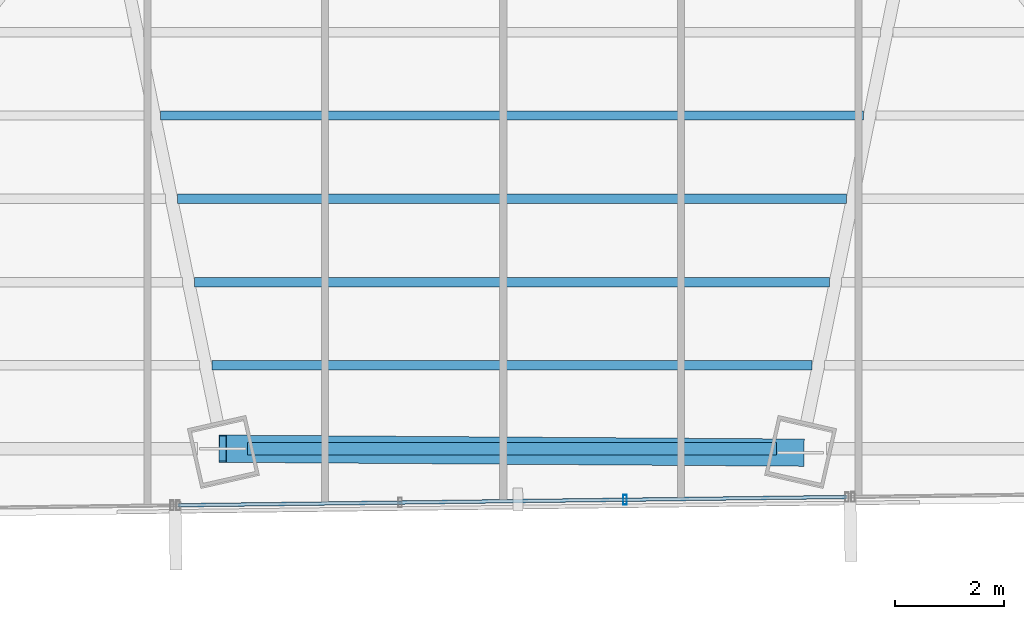
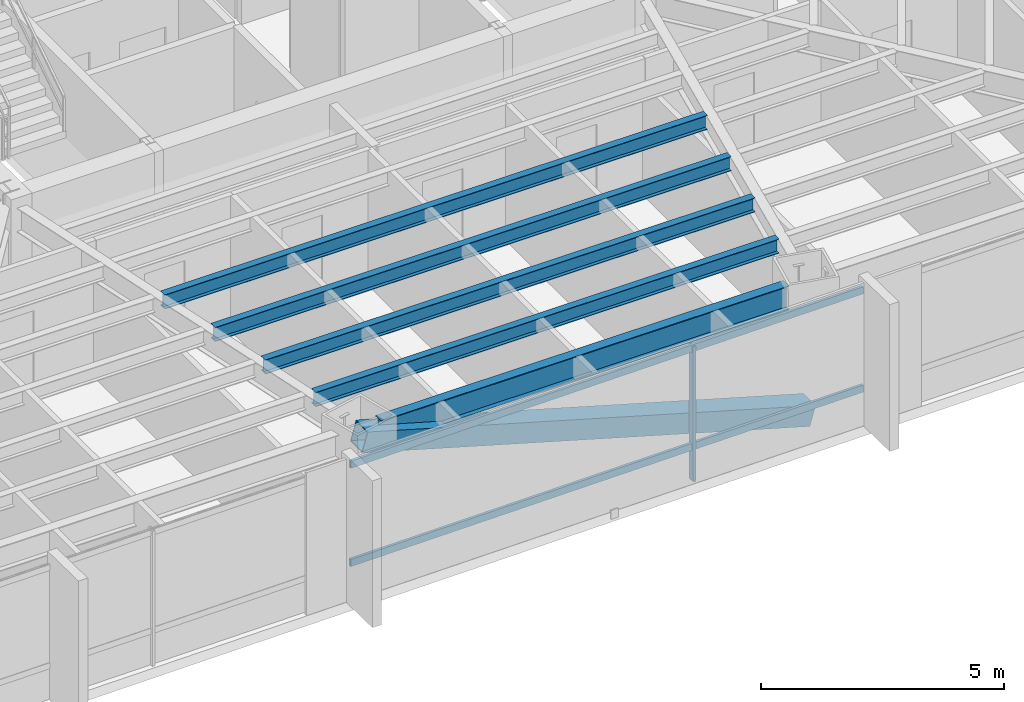
# One storey, part 10 of 37: 5 beams, 4 members, 1 element without a shape of its own.
"""IFC4 building model written with IfcOpenShell, lengths in metres."""

import ifcopenshell
import ifcopenshell.guid

model = None  # the IFC model being written
_history = None  # IfcOwnerHistory: only IFC2X3 demands one
_inside = {}  # id of a spatial element -> (the spatial element, [elements in it])
_under = {}  # id of a project, library or spatial element -> (it, [spatial elements below it])
_declared = {}  # id of a project -> (the project, [libraries it declares])
_typed = {}  # id of a type object -> (the type object, [elements of that type])
_made_of = {}  # id of a material, layer set ... -> (it, [elements and type objects made of it])


def new_model(schema):
    """Start an empty IFC model of exactly this schema.

    Asked for "IFC4X3", IfcOpenShell would pick the latest addendum, in which some entities
    have other attributes; the version numbers below select the first issue.
    IFC2X3 requires an IfcOwnerHistory on every rooted entity: one is made here for all.
    """
    global model, _history
    if schema == "IFC4X3":
        model = ifcopenshell.file(schema_version=(4, 3, 0, 0))
    else:
        model = ifcopenshell.file(schema=schema)
    _inside.clear()
    _under.clear()
    _declared.clear()
    _typed.clear()
    _made_of.clear()
    _history = None
    if model.schema == "IFC2X3":
        org = make("IfcOrganization", Name="unknown")
        user = make(
            "IfcPersonAndOrganization",
            ThePerson=make("IfcPerson", FamilyName="unknown"),
            TheOrganization=org,
        )
        app = make(
            "IfcApplication",
            ApplicationDeveloper=org,
            Version="unknown",
            ApplicationFullName="unknown",
            ApplicationIdentifier="unknown",
        )
        _history = make(
            "IfcOwnerHistory",
            OwningUser=user,
            OwningApplication=app,
            ChangeAction="ADDED",
            CreationDate=0,
        )
    return model


def make(cls, **values):
    """One entity of the class cls with the attributes given. An attribute that is None is left unset."""
    return model.create_entity(
        cls, **{name: value for name, value in values.items() if value is not None}
    )


def rooted(cls, **values):
    """An entity with a GlobalId (a new one), such as an element, a storey or a relation."""
    return make(cls, GlobalId=ifcopenshell.guid.new(), OwnerHistory=_history, **values)


def si_unit(unit_type, name, prefix=None):
    """IfcSIUnit, for example si_unit("LENGTHUNIT", "METRE", prefix="MILLI")."""
    return make("IfcSIUnit", UnitType=unit_type, Prefix=prefix, Name=name)


def assignment(units):
    """IfcUnitAssignment: the units of a project."""
    return None if units is None else make("IfcUnitAssignment", Units=units)


def point(xyz):
    """IfcCartesianPoint."""
    return None if xyz is None else make("IfcCartesianPoint", Coordinates=xyz)


def direction(xyz):
    """IfcDirection."""
    return None if xyz is None else make("IfcDirection", DirectionRatios=xyz)


def frame(location, z_axis=None, x_axis=None):
    """IfcAxis2Placement3D, a coordinate frame: its origin and axes. An axis left out is left unset."""
    return make(
        "IfcAxis2Placement3D",
        Location=point(location),
        Axis=direction(z_axis),
        RefDirection=direction(x_axis),
    )


def frame_2d(location, x_axis=None):
    """IfcAxis2Placement2D, a coordinate frame in the plane: its origin and x axis."""
    return make(
        "IfcAxis2Placement2D", Location=point(location), RefDirection=direction(x_axis)
    )


def origin():
    """The frame at (0, 0, 0) with its axes left unset."""
    return frame((0.0, 0.0, 0.0))


def origin_2d():
    """The frame at (0, 0) in the plane with its x axis left unset."""
    return frame_2d((0.0, 0.0))


def place(relative_to, where):
    """IfcLocalPlacement: puts the frame where relative to a parent placement (None: the world)."""
    return make(
        "IfcLocalPlacement", PlacementRelTo=relative_to, RelativePlacement=where
    )


def context(
    kind, dimensions, precision=None, world=None, true_north=None, identifier=None
):
    """IfcGeometricRepresentationContext, for example the 3D "Model" context."""
    return make(
        "IfcGeometricRepresentationContext",
        ContextIdentifier=identifier,
        ContextType=kind,
        CoordinateSpaceDimension=dimensions,
        Precision=precision,
        WorldCoordinateSystem=world,
        TrueNorth=true_north,
    )


def subcontext(parent, identifier, kind, view, scale=None):
    """IfcGeometricRepresentationSubContext, for example "Body" below "Model"."""
    return make(
        "IfcGeometricRepresentationSubContext",
        ContextIdentifier=identifier,
        ContextType=kind,
        ParentContext=parent,
        TargetScale=scale,
        TargetView=view,
    )


def project(units=None, contexts=None):
    """IfcProject with its units and contexts."""
    return rooted(
        "IfcProject",
        Name="project",
        RepresentationContexts=contexts,
        UnitsInContext=assignment(units),
    )


def spatial(cls, under=None, at=None, **own):
    """A site, building, storey or space (cls), placed at a placement, below another one or the project."""
    s = rooted(cls, ObjectPlacement=at, **own)
    if under is not None:
        _under.setdefault(under.id(), (under, []))[1].append(s)
    return s


def profile(cls, at=None, kind="AREA", **sizes):
    """A parametric profile (cls). Its sizes go by their IFC names, for example OverallWidth=200.0."""
    return make(cls, ProfileType=kind, Position=at, **sizes)


def hollow_rectangle(**sizes):
    """IfcRectangleHollowProfileDef."""
    return profile("IfcRectangleHollowProfileDef", **sizes)


def i_section(**sizes):
    """IfcIShapeProfileDef."""
    return profile("IfcIShapeProfileDef", **sizes)


def extrude(swept, where, along, depth):
    """IfcExtrudedAreaSolid: the profile swept, set in the frame where, extruded along a direction by depth."""
    return make(
        "IfcExtrudedAreaSolid",
        SweptArea=swept,
        Position=where,
        ExtrudedDirection=direction(along),
        Depth=depth,
    )


def shape(context_of_items, identifier, shape_type, items):
    """IfcShapeRepresentation: the items that make up one representation, for example the "Body"."""
    return make(
        "IfcShapeRepresentation",
        ContextOfItems=context_of_items,
        RepresentationIdentifier=identifier,
        RepresentationType=shape_type,
        Items=items,
    )


def source(mapping_origin, context_of_items, identifier, shape_type, items):
    """IfcRepresentationMap: a shape defined once, which mapped items show again and again."""
    return make(
        "IfcRepresentationMap",
        MappingOrigin=mapping_origin,
        MappedRepresentation=shape(context_of_items, identifier, shape_type, items),
    )


def transform(
    local_origin,
    x_axis=None,
    y_axis=None,
    z_axis=None,
    scale=None,
    scale2=None,
    scale3=None,
    uniform=True,
):
    """IfcCartesianTransformationOperator3D, or its non-uniform kind. x_axis, y_axis, z_axis: its Axis1, 2, 3."""
    if uniform:
        return make(
            "IfcCartesianTransformationOperator3D",
            Axis1=direction(x_axis),
            Axis2=direction(y_axis),
            LocalOrigin=point(local_origin),
            Scale=scale,
            Axis3=direction(z_axis),
        )
    return make(
        "IfcCartesianTransformationOperator3DnonUniform",
        Axis1=direction(x_axis),
        Axis2=direction(y_axis),
        LocalOrigin=point(local_origin),
        Scale=scale,
        Axis3=direction(z_axis),
        Scale2=scale2,
        Scale3=scale3,
    )


def mapped(mapping_source, mapping_target):
    """IfcMappedItem: shows the shape of a source again, moved by a transform."""
    return make(
        "IfcMappedItem", MappingSource=mapping_source, MappingTarget=mapping_target
    )


def material(Name=None, Category=None):
    """IfcMaterial."""
    return make("IfcMaterial", Name=Name, Category=Category)


def material_profile(
    of_material, cross_section, Name=None, Category=None, Priority=None
):
    """IfcMaterialProfile: a cross section and its material."""
    return make(
        "IfcMaterialProfile",
        Name=Name,
        Material=of_material,
        Profile=cross_section,
        Priority=Priority,
        Category=Category,
    )


def profile_set(profiles, Name=None, composite=None):
    """IfcMaterialProfileSet."""
    return make(
        "IfcMaterialProfileSet",
        Name=Name,
        MaterialProfiles=profiles,
        CompositeProfile=composite,
    )


def made_of(thing, what):
    """Note that an element or type object is made of a material, layer set ...; save() writes the relation."""
    if what is not None:
        _made_of.setdefault(what.id(), (what, []))[1].append(thing)
    return thing


def type_object(cls, material=None, **own):
    """A type object (cls), such as IfcWallType, which elements share."""
    return made_of(rooted(cls, **own), material)


def type_shapes(of_type, sources):
    """Give a type object the sources (RepresentationMaps) that its elements show as mapped items."""
    of_type.RepresentationMaps = sources


def element(
    cls,
    number,
    at=None,
    inside=None,
    cuts=None,
    type_object=None,
    material=None,
    context=None,
    identifier="Body",
    shape_type=None,
    held_by="IfcProductDefinitionShape",
    body=None,
    shapes=None,
    **own,
):
    """One element of the class cls, such as IfcWall. Its Tag is "e" and its number.

    at: its placement. inside: the storey or other place that contains it. cuts: it is an
    opening in that element (IfcRelVoidsElement). A single representation is given by context,
    identifier, shape_type and body (its items); several are given by shapes. held_by: the class
    of the entity that holds the representations. save() writes the other relations.
    """
    e = rooted(cls, Tag="e%d" % number, ObjectPlacement=at, **own)
    if body is not None:
        shapes = [shape(context, identifier, shape_type, body)]
    if shapes is not None:
        e.Representation = make(held_by, Representations=shapes)
    if inside is not None:
        _inside.setdefault(inside.id(), (inside, []))[1].append(e)
    if cuts is not None:
        rooted(
            "IfcRelVoidsElement", RelatingBuildingElement=cuts, RelatedOpeningElement=e
        )
    if type_object is not None:
        _typed.setdefault(type_object.id(), (type_object, []))[1].append(e)
    return made_of(e, material)


def aggregate(whole, parts):
    """IfcRelAggregates: a whole, such as a stair, and the parts it consists of."""
    return rooted("IfcRelAggregates", RelatingObject=whole, RelatedObjects=parts)


def save(model, path):
    """Write the relations noted so far, then the file.

    IfcRelAggregates (storeys below a building ...), IfcRelContainedInSpatialStructure (elements
    in a storey), IfcRelDefinesByType, IfcRelAssociatesMaterial and IfcRelDeclares: one each for
    every whole, place, type object, material and project.
    """
    for whole, parts in _under.values():
        aggregate(whole, parts)
    for where, things in _inside.values():
        rooted(
            "IfcRelContainedInSpatialStructure",
            RelatedElements=things,
            RelatingStructure=where,
        )
    for kind, things in _typed.values():
        rooted("IfcRelDefinesByType", RelatedObjects=things, RelatingType=kind)
    for what, things in _made_of.values():
        rooted("IfcRelAssociatesMaterial", RelatedObjects=things, RelatingMaterial=what)
    for by, libraries in _declared.values():
        rooted("IfcRelDeclares", RelatingContext=by, RelatedDefinitions=libraries)
    model.write(path)


model = new_model("IFC4")

# Units and contexts
model_context = context("Model", 3, precision=1e-05, world=origin(), true_north=direction((0.0, 1.0)))
body_context = subcontext(model_context, "Body", "Model", "MODEL_VIEW")
ifc_project = project(units=[si_unit("LENGTHUNIT", "METRE"), si_unit("AREAUNIT", "SQUARE_METRE"), si_unit("VOLUMEUNIT", "CUBIC_METRE"), si_unit("PLANEANGLEUNIT", "RADIAN"), si_unit("MASSUNIT", "GRAM", prefix="KILO")], contexts=[model_context])

# Site, building, storey
site_placement = place(None, origin())
site = spatial("IfcSite", under=ifc_project, at=site_placement, CompositionType="ELEMENT")
building_placement = place(site_placement, origin())
building = spatial("IfcBuilding", under=site, at=building_placement, Name="Caelisora Broadcast Tower", CompositionType="ELEMENT")
storey_placement = place(building_placement, frame((0.0, 0.0, 120.0)))
storey = spatial("IfcBuildingStorey", under=building, at=storey_placement, Name="L31", CompositionType="ELEMENT", Elevation=120.0)

# Beams
ifc_material_1 = material(Name="Steel Grade 350 (AS/NZS 3679.1)", Category="steel")
ifc_material_profile_1 = material_profile(ifc_material_1, i_section(OverallWidth=0.22900390625, OverallDepth=0.611572265625, WebThickness=0.011962890625, FlangeThickness=0.01953125, at=origin_2d()), Name="Steel Grade 350 (AS/NZS 3679.1)")
ifc_profile_set_1 = profile_set([ifc_material_profile_1], Name="Steel Grade 350 (AS/NZS 3679.1)")
beam_type_1 = type_object("IfcBeamType", Name="PG03", PredefinedType="BEAM", material=ifc_profile_set_1)
shared_shape_1 = source(origin(), body_context, "Body", "SweptSolid", [
    extrude(i_section(OverallWidth=0.22900390625, OverallDepth=0.611572265625, WebThickness=0.011962890625, FlangeThickness=0.01953125, at=origin_2d()), origin(), (0.0, 0.0, 1.0), 9.697265625),
])
type_shapes(beam_type_1, [shared_shape_1])
beam_1_placement = place(storey_placement, frame((33.1513671875, 6.702392578125, 3.09423828125), z_axis=(1.0, 0.0, 0.0), x_axis=(0.0, 1.0, 0.0)))
element("IfcBeam", 1, at=beam_1_placement, inside=storey, type_object=beam_type_1, Name="L31 beam PG03", PredefinedType="BEAM", context=body_context, shape_type="MappedRepresentation", body=[
    mapped(shared_shape_1, transform((0.0, 0.0, 0.0), scale=1.0)),
])
ifc_material_profile_2 = material_profile(ifc_material_1, i_section(OverallWidth=0.172119140625, OverallDepth=0.358642578125, WebThickness=0.008056640625, FlangeThickness=0.012939453125, at=origin_2d()), Name="Steel Grade 350 (AS/NZS 3679.1)")
ifc_profile_set_2 = profile_set([ifc_material_profile_2], Name="Steel Grade 350 (AS/NZS 3679.1)")
beam_type_2 = type_object("IfcBeamType", Name="SB02", PredefinedType="JOIST", material=ifc_profile_set_2)
shared_shape_2 = source(origin(), body_context, "Body", "SweptSolid", [
    extrude(i_section(OverallWidth=0.172119140625, OverallDepth=0.358642578125, WebThickness=0.008056640625, FlangeThickness=0.012939453125, at=origin_2d()), origin(), (0.0, 0.0, 1.0), 12.89501953125),
])
beam_2_placement = place(storey_placement, frame((31.552490234375, 12.8154296875, 3.220703125), z_axis=(1.0, 0.0, 0.0), x_axis=(0.0, 1.0, 0.0)))
element("IfcBeam", 2, at=beam_2_placement, inside=storey, type_object=beam_type_2, Name="L31 beam SB02", PredefinedType="JOIST", context=body_context, shape_type="MappedRepresentation", body=[
    mapped(shared_shape_2, transform((0.0, 0.0, 0.0), scale=1.0)),
])
shared_shape_3 = source(origin(), body_context, "Body", "SweptSolid", [
    extrude(i_section(OverallWidth=0.172119140625, OverallDepth=0.358642578125, WebThickness=0.008056640625, FlangeThickness=0.012939453125, at=origin_2d()), origin(), (0.0, 0.0, 1.0), 12.26904296875),
])
beam_3_placement = place(storey_placement, frame((31.865478515625, 11.287109375, 3.220703125), z_axis=(1.0, 0.0, 0.0), x_axis=(0.0, 1.0, 0.0)))
element("IfcBeam", 3, at=beam_3_placement, inside=storey, type_object=beam_type_2, Name="L31 beam SB02", PredefinedType="JOIST", context=body_context, shape_type="MappedRepresentation", body=[
    mapped(shared_shape_3, transform((0.0, 0.0, 0.0), scale=1.0)),
])
shared_shape_4 = source(origin(), body_context, "Body", "SweptSolid", [
    extrude(i_section(OverallWidth=0.172119140625, OverallDepth=0.358642578125, WebThickness=0.008056640625, FlangeThickness=0.012939453125, at=origin_2d()), origin(), (0.0, 0.0, 1.0), 11.642578125),
])
beam_4_placement = place(storey_placement, frame((32.1787109375, 9.7587890625, 3.220703125), z_axis=(1.0, 0.0, 0.0), x_axis=(0.0, 1.0, 0.0)))
element("IfcBeam", 4, at=beam_4_placement, inside=storey, type_object=beam_type_2, Name="L31 beam SB02", PredefinedType="JOIST", context=body_context, shape_type="MappedRepresentation", body=[
    mapped(shared_shape_4, transform((0.0, 0.0, 0.0), scale=1.0)),
])
shared_shape_5 = source(origin(), body_context, "Body", "SweptSolid", [
    extrude(i_section(OverallWidth=0.172119140625, OverallDepth=0.358642578125, WebThickness=0.008056640625, FlangeThickness=0.012939453125, at=origin_2d()), origin(), (0.0, 0.0, 1.0), 11.0166015625),
])
type_shapes(beam_type_2, [shared_shape_2, shared_shape_3, shared_shape_4, shared_shape_5])
beam_5_placement = place(storey_placement, frame((32.49169921875, 8.230712890625, 3.220703125), z_axis=(1.0, 0.0, 0.0), x_axis=(0.0, 1.0, 0.0)))
element("IfcBeam", 5, at=beam_5_placement, inside=storey, type_object=beam_type_2, Name="L31 beam SB02", PredefinedType="JOIST", context=body_context, shape_type="MappedRepresentation", body=[
    mapped(shared_shape_5, transform((0.0, 0.0, 0.0), scale=1.0)),
])

# Member
ifc_material_2 = material(Name="Steel Grade 450 L15 (AS/NZS 3678)", Category="steel")
ifc_material_profile_3 = material_profile(ifc_material_2, hollow_rectangle(XDim=0.5, YDim=0.5, WallThickness=0.02001953125, at=origin_2d()), Name="Steel Grade 450 L15 (AS/NZS 3678)")
ifc_profile_set_3 = profile_set([ifc_material_profile_3], Name="Steel Grade 450 L15 (AS/NZS 3678)")
member_type_1 = type_object("IfcMemberType", Name="BR02", PredefinedType="BRACE", material=ifc_profile_set_3)
shared_shape_6 = source(origin(), body_context, "Body", "SweptSolid", [
    extrude(hollow_rectangle(XDim=0.5, YDim=0.5, WallThickness=0.02001953125, at=origin_2d()), origin(), (0.0, 0.0, 1.0), 11.017333984375),
])
type_shapes(member_type_1, [shared_shape_6])
member_1_placement = place(storey_placement, frame((32.69140625, 6.702392578125, 3.10009765625), z_axis=(0.962190934005, -0.00655923439, -0.272296865504), x_axis=(0.006816819569, 0.999976765216, 0.0)))
element("IfcMember", 6, at=member_1_placement, inside=storey, type_object=member_type_1, Name="L31 perimeter brace BR02", PredefinedType="BRACE", context=body_context, shape_type="MappedRepresentation", body=[
    mapped(shared_shape_6, transform((0.0, 0.0, 0.0), scale=1.0)),
])

# Curtain wall, members
ifc_material_3 = material(Name="Unitised Aluminium Insulated Shadow-Box Spandrel Curtain Wall", Category="aluminium")
curtain_wall_type = type_object("IfcCurtainWallType", Name="CW-SP1", PredefinedType="NOTDEFINED", material=ifc_material_3)
curtain_wall_placement = place(storey_placement, origin())
curtain_wall = element("IfcCurtainWall", 7, at=curtain_wall_placement, inside=storey, type_object=curtain_wall_type, Name="L31 curtain wall CW-SP1", PredefinedType="NOTDEFINED")
ifc_material_4 = material(Name="Aluminium 6063-T6 Anodised Terracotta Bronze", Category="aluminium")
ifc_material_profile_4 = material_profile(ifc_material_4, hollow_rectangle(XDim=0.06494140625, YDim=0.179931640625, WallThickness=0.00341796875, at=origin_2d()), Name="Aluminium 6063-T6 Anodised Terracotta Bronze")
ifc_profile_set_4 = profile_set([ifc_material_profile_4], Name="Aluminium 6063-T6 Anodised Terracotta Bronze")
member_type_2 = type_object("IfcMemberType", Name="CWM-02", PredefinedType="MULLION", material=ifc_profile_set_4)
shared_shape_7 = source(origin(), body_context, "Body", "SweptSolid", [
    extrude(hollow_rectangle(XDim=0.06494140625, YDim=0.179931640625, WallThickness=0.00341796875, at=origin_2d()), origin(), (0.0, 0.0, 1.0), 3.39990234375),
])
type_shapes(member_type_2, [shared_shape_7])
member_2_placement = place(storey_placement, frame((40.0732421875, 5.765869140625, 0.0), z_axis=(0.0, 0.0, 1.0), x_axis=(1.0, 0.0, 0.0)))
member_2 = element("IfcMember", 8, at=member_2_placement, type_object=member_type_2, Name="L31-CW-B06 mullion #1", PredefinedType="MULLION", context=body_context, shape_type="MappedRepresentation", body=[
    mapped(shared_shape_7, transform((0.0, 0.0, 0.0), scale=1.0)),
])
ifc_material_profile_5 = material_profile(ifc_material_4, hollow_rectangle(XDim=0.06494140625, YDim=0.179931640625, WallThickness=0.00341796875, at=origin_2d()), Name="Aluminium 6063-T6 Anodised Terracotta Bronze")
ifc_profile_set_5 = profile_set([ifc_material_profile_5], Name="Aluminium 6063-T6 Anodised Terracotta Bronze")
member_type_3 = type_object("IfcMemberType", Name="CWT-01", PredefinedType="USERDEFINED", material=ifc_profile_set_5)
shared_shape_8 = source(origin(), body_context, "Body", "SweptSolid", [
    extrude(hollow_rectangle(XDim=0.06494140625, YDim=0.179931640625, WallThickness=0.00341796875, at=origin_2d()), origin(), (0.0, 0.0, 1.0), 12.273681640625),
])
type_shapes(member_type_3, [shared_shape_8])
member_3_placement = place(storey_placement, frame((44.1474609375, 5.816650390625, 0.85009765625), z_axis=(-0.999922470377, -0.012452037368, 0.0), x_axis=(0.012452037368, -0.999922470377, 0.0)))
member_3 = element("IfcMember", 9, at=member_3_placement, type_object=member_type_3, Name="L31-CW-B06 transom #1", ObjectType="TRANSOM", PredefinedType="USERDEFINED", context=body_context, shape_type="MappedRepresentation", body=[
    mapped(shared_shape_8, transform((0.0, 0.0, 0.0), scale=1.0)),
])
member_4_placement = place(storey_placement, frame((44.1474609375, 5.816650390625, 3.320068359375), z_axis=(-0.999922470377, -0.012452037368, 0.0), x_axis=(0.012452037368, -0.999922470377, 0.0)))
member_4 = element("IfcMember", 10, at=member_4_placement, type_object=member_type_3, Name="L31-CW-B06 transom #2", ObjectType="TRANSOM", PredefinedType="USERDEFINED", context=body_context, shape_type="MappedRepresentation", body=[
    mapped(shared_shape_8, transform((0.0, 0.0, 0.0), scale=1.0)),
])
aggregate(curtain_wall, [member_2, member_3, member_4])

save(model, "model.ifc")
